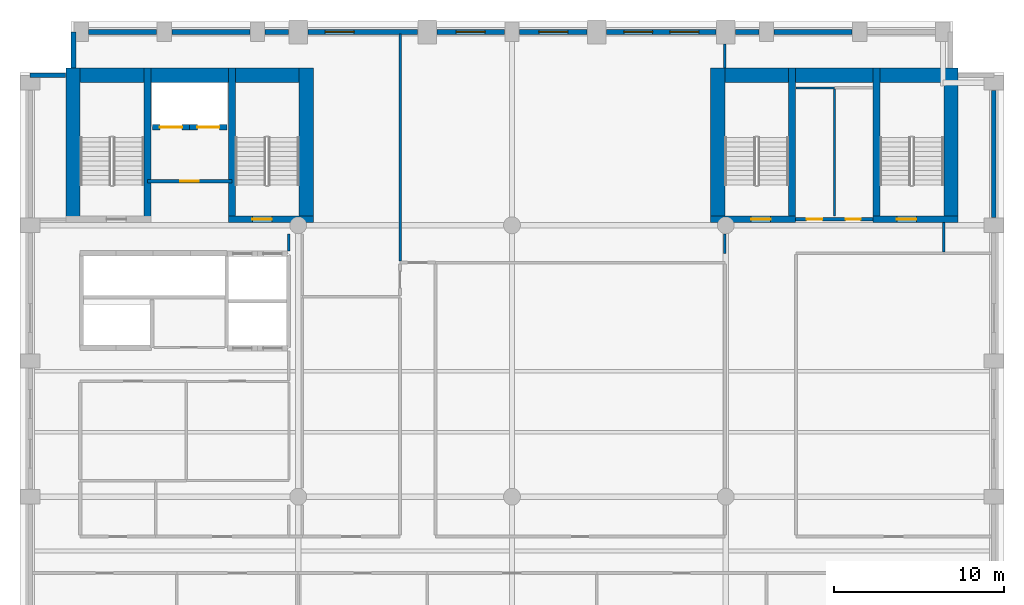
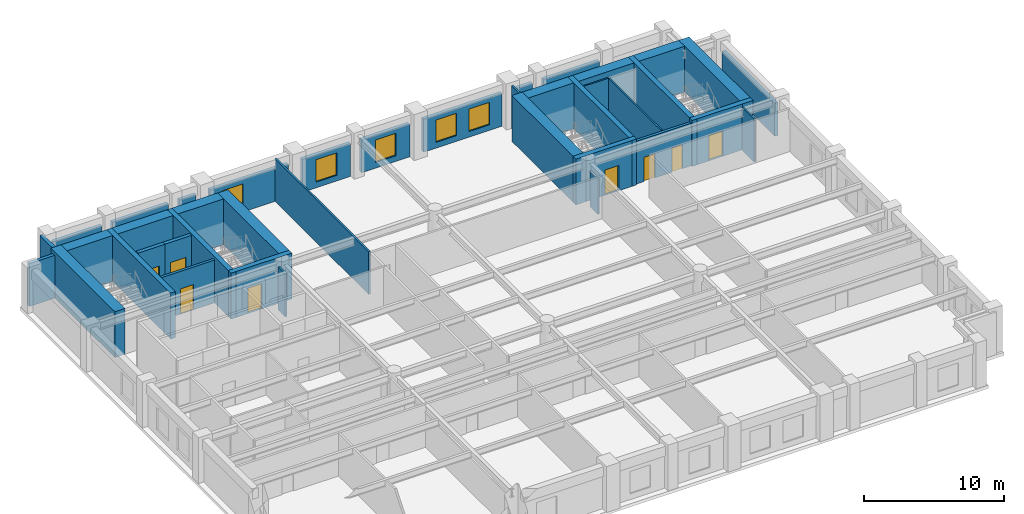
# One storey, part 5 of 8: 36 walls, 8 doors, 5 windows, 13 openings.
"""IFC4 building model written with IfcOpenShell, lengths in metres."""

from ifc_helpers import new_model, si_unit, direction, frame, frame_2d, origin, place, context, subcontext, project, spatial, rectangle, extrude, material, layer, layer_set, type_object, element, fill, save


model = new_model("IFC4")

# Units and contexts
model_context = context("Model", 3, precision=1e-05, world=origin(), true_north=direction((0.0, 1.0)))
body_context = subcontext(model_context, "Body", "Model", "MODEL_VIEW")
ifc_project = project(units=[si_unit("LENGTHUNIT", "METRE"), si_unit("AREAUNIT", "SQUARE_METRE"), si_unit("VOLUMEUNIT", "CUBIC_METRE"), si_unit("PLANEANGLEUNIT", "RADIAN"), si_unit("MASSUNIT", "GRAM", prefix="KILO")], contexts=[model_context])

# Site, building, storey
site_placement = place(None, origin())
site = spatial("IfcSite", under=ifc_project, at=site_placement, CompositionType="ELEMENT")
building_placement = place(site_placement, origin())
building = spatial("IfcBuilding", under=site, at=building_placement, Name="Sulina Concourse Tower", CompositionType="ELEMENT")
storey_placement = place(building_placement, frame((0.0, 0.0, 136.60009765625)))
storey = spatial("IfcBuildingStorey", under=building, at=storey_placement, Name="L33", CompositionType="ELEMENT", Elevation=136.60009765625)

# Wall, opening, door
ifc_material_1 = material(Name="Concrete C50/60", Category="concrete")
ifc_layer_1 = layer(ifc_material_1, 0.300048828125)
ifc_layer_set_1 = layer_set([ifc_layer_1], Name="Concrete C50/60")
wall_type_1 = type_object("IfcWallType", Name="Core Lift Hoistway Wall 300mm", PredefinedType="SOLIDWALL", material=ifc_layer_set_1)
wall_1_placement = place(storey_placement, frame((10.0, 39.780029296875, 0.0), z_axis=(0.0, 0.0, 1.0), x_axis=(-1.0, 0.0, 0.0)))
wall_1 = element("IfcWall", 1, at=wall_1_placement, inside=storey, type_object=wall_type_1, Name="L33 hoistway enclosure wall FFL-1", PredefinedType="SOLIDWALL", context=body_context, shape_type="SweptSolid", body=[
    extrude(rectangle(XDim=2.199951171875, YDim=0.300048828125, at=frame_2d((1.10009765625, 0.0))), origin(), (0.0, 0.0, 1.0), 4.0),
])
opening_1_placement = place(wall_1_placement, frame((0.449951171875, 0.0, 0.0)))
opening_1 = element("IfcOpeningElement", 2, at=opening_1_placement, cuts=wall_1, Name="Opening LD-02", PredefinedType="OPENING", context=body_context, shape_type="SweptSolid", body=[
    extrude(rectangle(XDim=1.300048828125, YDim=2.25, at=frame_2d((0.64990234375, 1.125))), frame((0.0, 0.159912109375, 0.0), z_axis=(0.0, -1.0, 0.0), x_axis=(1.0, 0.0, 0.0)), (0.0, 0.0, 1.0), 0.320068359375),
])
ifc_material_2 = material(Name="Stainless steel lift landing door", Category="steel")
ifc_layer_2 = layer(ifc_material_2, 0.050048828125)
ifc_layer_set_2 = layer_set([ifc_layer_2], Name="Stainless steel lift landing door")
door_type_1 = type_object("IfcDoorType", Name="Firefighting Lift Sliding Landing Door 1300x2250", OperationType="SLIDING_TO_RIGHT", PredefinedType="DOOR", material=ifc_layer_set_2)
door_1_placement = place(opening_1_placement, origin())
door_1 = element("IfcDoor", 3, at=door_1_placement, inside=storey, type_object=door_type_1, Name="L33 lift landing sliding door FFL-1", OperationType="SLIDING_TO_LEFT", OverallHeight=2.25, OverallWidth=1.300048828125, PredefinedType="DOOR", context=body_context, shape_type="SweptSolid", body=[
    extrude(rectangle(XDim=1.300048828125, YDim=2.25, at=frame_2d((0.64990234375, 1.125))), frame((0.0, 0.02490234375, 0.0), z_axis=(0.0, -1.0, 0.0), x_axis=(1.0, 0.0, 0.0)), (0.0, 0.0, 1.0), 0.050048828125),
])
fill(opening_1, door_1)

wall_2_placement = place(storey_placement, frame((12.199951171875, 39.780029296875, 0.0), z_axis=(0.0, 0.0, 1.0), x_axis=(-1.0, 0.0, 0.0)))
wall_2 = element("IfcWall", 4, at=wall_2_placement, inside=storey, type_object=wall_type_1, Name="L33 hoistway enclosure wall FFL-2", PredefinedType="SOLIDWALL", context=body_context, shape_type="SweptSolid", body=[
    extrude(rectangle(XDim=2.199951171875, YDim=0.300048828125, at=frame_2d((1.10009765625, 0.0))), origin(), (0.0, 0.0, 1.0), 4.0),
])
opening_2_placement = place(wall_2_placement, frame((0.449951171875, 0.0, 0.0)))
opening_2 = element("IfcOpeningElement", 5, at=opening_2_placement, cuts=wall_2, Name="Opening LD-02", PredefinedType="OPENING", context=body_context, shape_type="SweptSolid", body=[
    extrude(rectangle(XDim=1.300048828125, YDim=2.25, at=frame_2d((0.64990234375, 1.125))), frame((0.0, 0.159912109375, 0.0), z_axis=(0.0, -1.0, 0.0), x_axis=(1.0, 0.0, 0.0)), (0.0, 0.0, 1.0), 0.320068359375),
])
door_2_placement = place(opening_2_placement, origin())
door_2 = element("IfcDoor", 6, at=door_2_placement, inside=storey, type_object=door_type_1, Name="L33 lift landing sliding door FFL-2", OperationType="SLIDING_TO_RIGHT", OverallHeight=2.25, OverallWidth=1.300048828125, PredefinedType="DOOR", context=body_context, shape_type="SweptSolid", body=[
    extrude(rectangle(XDim=1.300048828125, YDim=2.25, at=frame_2d((0.64990234375, 1.125))), frame((0.0, 0.02490234375, 0.0), z_axis=(0.0, -1.0, 0.0), x_axis=(1.0, 0.0, 0.0)), (0.0, 0.0, 1.0), 0.050048828125),
])
fill(opening_2, door_2)

ifc_material_3 = material(Name="Gypsum board on steel stud", Category="steel")
ifc_layer_3 = layer(ifc_material_3, 0.219970703125)
ifc_layer_set_3 = layer_set([ifc_layer_3], Name="Gypsum board on steel stud")
wall_type_2 = type_object("IfcWallType", Name="Fire-Rated Lobby & Compartment Wall 220mm", PredefinedType="PARTITIONING", material=ifc_layer_set_3)
wall_3_placement = place(storey_placement, frame((7.510009765625, 36.60009765625, 0.0), z_axis=(0.0, 0.0, 1.0), x_axis=(1.0, 0.0, 0.0)))
wall_3 = element("IfcWall", 7, at=wall_3_placement, inside=storey, type_object=wall_type_2, Name="L33 firefighting lobby south fire wall", PredefinedType="PARTITIONING", context=body_context, shape_type="SweptSolid", body=[
    extrude(rectangle(XDim=4.97998046875, YDim=0.219970703125, at=frame_2d((2.489990234375, 0.0))), origin(), (0.0, 0.0, 1.0), 3.724853515625),
])
opening_3_placement = place(wall_3_placement, frame((1.93994140625, 0.0, 0.0)))
opening_3 = element("IfcOpeningElement", 8, at=opening_3_placement, cuts=wall_3, Name="Opening DR-47", PredefinedType="OPENING", context=body_context, shape_type="SweptSolid", body=[
    extrude(rectangle(XDim=1.10009765625, YDim=2.199951171875, at=frame_2d((0.550048828125, 1.10009765625))), frame((0.0, 0.119873046875, 0.0), z_axis=(0.0, -1.0, 0.0), x_axis=(1.0, 0.0, 0.0)), (0.0, 0.0, 1.0), 0.239990234375),
])
ifc_material_4 = material(Name="Galvanised steel acoustic fire leaf", Category="steel")
ifc_layer_4 = layer(ifc_material_4, 0.054931640625)
ifc_layer_set_4 = layer_set([ifc_layer_4], Name="Galvanised steel acoustic fire leaf")
door_type_2 = type_object("IfcDoorType", Name="Firefighting Lobby Fire Door 1100x2200", OperationType="NOTDEFINED", PredefinedType="DOOR", material=ifc_layer_set_4)
door_3_placement = place(opening_3_placement, origin())
door_3 = element("IfcDoor", 9, at=door_3_placement, inside=storey, type_object=door_type_2, Name="L33 firefighting lobby fire door", OperationType="SINGLE_SWING_RIGHT", OverallHeight=2.199951171875, OverallWidth=1.10009765625, PredefinedType="DOOR", context=body_context, shape_type="SweptSolid", body=[
    extrude(rectangle(XDim=1.10009765625, YDim=2.199951171875, at=frame_2d((0.550048828125, 1.10009765625))), frame((0.0, 0.02490234375, 0.0), z_axis=(0.0, -1.0, 0.0), x_axis=(1.0, 0.0, 0.0)), (0.0, 0.0, 1.0), 0.050048828125),
])
fill(opening_3, door_3)

# Wall, openings, doors
wall_4_placement = place(storey_placement, frame((45.719970703125, 34.35009765625, 0.0), z_axis=(0.0, 0.0, 1.0), x_axis=(1.0, 0.0, 0.0)))
wall_4 = element("IfcWall", 10, at=wall_4_placement, inside=storey, type_object=wall_type_2, Name="L33 east core south lobby wall", PredefinedType="PARTITIONING", context=body_context, shape_type="SweptSolid", body=[
    extrude(rectangle(XDim=4.56005859375, YDim=0.219970703125, at=frame_2d((2.280029296875, 0.0))), origin(), (0.0, 0.0, 1.0), 3.724853515625),
])
opening_4_placement = place(wall_4_placement, frame((0.64990234375, 0.0, 0.0)))
opening_4 = element("IfcOpeningElement", 11, at=opening_4_placement, cuts=wall_4, Name="Opening DR-61", PredefinedType="OPENING", context=body_context, shape_type="SweptSolid", body=[
    extrude(rectangle(XDim=0.919921875, YDim=2.10009765625, at=frame_2d((0.4599609375, 1.050048828125))), frame((0.0, 0.119873046875, 0.0), z_axis=(0.0, -1.0, 0.0), x_axis=(1.0, 0.0, 0.0)), (0.0, 0.0, 1.0), 0.239990234375),
])
opening_5_placement = place(wall_4_placement, frame((2.949951171875, 0.0, 0.0)))
opening_5 = element("IfcOpeningElement", 12, at=opening_5_placement, cuts=wall_4, Name="Opening DR-38", PredefinedType="OPENING", context=body_context, shape_type="SweptSolid", body=[
    extrude(rectangle(XDim=0.8798828125, YDim=2.10009765625, at=frame_2d((0.43994140625, 1.050048828125))), frame((0.0, 0.119873046875, 0.0), z_axis=(0.0, -1.0, 0.0), x_axis=(1.0, 0.0, 0.0)), (0.0, 0.0, 1.0), 0.239990234375),
])
ifc_material_5 = material(Name="Oak-veneered fire door leaf")
ifc_layer_5 = layer(ifc_material_5, 0.050048828125)
ifc_layer_set_5 = layer_set([ifc_layer_5], Name="Oak-veneered fire door leaf")
door_type_3 = type_object("IfcDoorType", Name="Accessible WC Door 920x2100", OperationType="NOTDEFINED", PredefinedType="DOOR", material=ifc_layer_set_5)
door_4_placement = place(opening_4_placement, origin())
door_4 = element("IfcDoor", 13, at=door_4_placement, inside=storey, type_object=door_type_3, Name="L33 east core accessible wc door", OperationType="SINGLE_SWING_RIGHT", OverallHeight=2.10009765625, OverallWidth=0.919921875, PredefinedType="DOOR", context=body_context, shape_type="SweptSolid", body=[
    extrude(rectangle(XDim=0.919921875, YDim=2.10009765625, at=frame_2d((0.4599609375, 1.050048828125))), frame((0.0, 0.02490234375, 0.0), z_axis=(0.0, -1.0, 0.0), x_axis=(1.0, 0.0, 0.0)), (0.0, 0.0, 1.0), 0.050048828125),
])
fill(opening_4, door_4)
ifc_material_6 = material(Name="Galvanised steel acoustic fire leaf", Category="steel")
ifc_layer_6 = layer(ifc_material_6, 0.050048828125)
ifc_layer_set_6 = layer_set([ifc_layer_6], Name="Galvanised steel acoustic fire leaf")
door_type_4 = type_object("IfcDoorType", Name="Service Riser Fire Door 880x2100", OperationType="NOTDEFINED", PredefinedType="DOOR", material=ifc_layer_set_6)
door_5_placement = place(opening_5_placement, origin())
door_5 = element("IfcDoor", 14, at=door_5_placement, inside=storey, type_object=door_type_4, Name="L33 east core store door", OperationType="SINGLE_SWING_LEFT", OverallHeight=2.10009765625, OverallWidth=0.8798828125, PredefinedType="DOOR", context=body_context, shape_type="SweptSolid", body=[
    extrude(rectangle(XDim=0.8798828125, YDim=2.10009765625, at=frame_2d((0.43994140625, 1.050048828125))), frame((0.0, 0.02490234375, 0.0), z_axis=(0.0, -1.0, 0.0), x_axis=(1.0, 0.0, 0.0)), (0.0, 0.0, 1.0), 0.050048828125),
])
fill(opening_5, door_5)

# Walls
ifc_material_7 = material(Name="Gypsum board on steel stud", Category="steel")
ifc_layer_7 = layer(ifc_material_7, 0.14990234375)
ifc_layer_set_7 = layer_set([ifc_layer_7], Name="Gypsum board on steel stud")
wall_type_3 = type_object("IfcWallType", Name="Inter-Tenancy Acoustic Partition 150mm", PredefinedType="PARTITIONING", material=ifc_layer_set_7)
wall_5_placement = place(storey_placement, frame((15.85009765625, 32.469970703125, 0.0), z_axis=(0.0, 0.0, 1.0), x_axis=(0.0, 1.0, 0.0)))
element("IfcWall", 15, at=wall_5_placement, inside=storey, type_object=wall_type_3, Name="L33 interior partition 035", PredefinedType="PARTITIONING", context=body_context, shape_type="SweptSolid", body=[
    extrude(rectangle(XDim=1.030029296875, YDim=0.14990234375, at=frame_2d((0.51513671875, 0.0))), origin(), (0.0, 0.0, 1.0), 3.724853515625),
])
wall_6_placement = place(storey_placement, frame((22.39990234375, 31.889892578125, 0.0), z_axis=(0.0, 0.0, 1.0), x_axis=(0.0, 1.0, 0.0)))
element("IfcWall", 16, at=wall_6_placement, inside=storey, type_object=wall_type_3, Name="L33 interior partition 042", PredefinedType="PARTITIONING", context=body_context, shape_type="SweptSolid", body=[
    extrude(rectangle(XDim=13.3701171875, YDim=0.14990234375, at=frame_2d((6.68505859375, 0.0))), origin(), (0.0, 0.0, 1.0), 3.724853515625),
])
wall_7_placement = place(storey_placement, frame((41.550048828125, 32.35009765625, 0.0), z_axis=(0.0, 0.0, 1.0), x_axis=(0.0, 1.0, 0.0)))
element("IfcWall", 17, at=wall_7_placement, inside=storey, type_object=wall_type_3, Name="L33 interior partition 048", PredefinedType="PARTITIONING", context=body_context, shape_type="SweptSolid", body=[
    extrude(rectangle(XDim=1.14990234375, YDim=0.14990234375, at=frame_2d((0.574951171875, 0.0))), origin(), (0.0, 0.0, 1.0), 3.06982421875),
])
wall_8_placement = place(storey_placement, frame((41.550048828125, 43.280029296875, 0.0), z_axis=(0.0, 0.0, 1.0), x_axis=(0.0, 1.0, 0.0)))
element("IfcWall", 18, at=wall_8_placement, inside=storey, type_object=wall_type_3, Name="L33 interior partition 049", PredefinedType="PARTITIONING", context=body_context, shape_type="SweptSolid", body=[
    extrude(rectangle(XDim=1.419921875, YDim=0.14990234375, at=frame_2d((0.7099609375, 0.0))), origin(), (0.0, 0.0, 1.0), 3.724853515625),
])
wall_9_placement = place(storey_placement, frame((54.449951171875, 32.425048828125, 0.0), z_axis=(0.0, 0.0, 1.0), x_axis=(0.0, 1.0, 0.0)))
element("IfcWall", 19, at=wall_9_placement, inside=storey, type_object=wall_type_3, Name="L33 interior partition 053", PredefinedType="PARTITIONING", context=body_context, shape_type="SweptSolid", body=[
    extrude(rectangle(XDim=1.724853515625, YDim=0.14990234375, at=frame_2d((0.8623046875, 0.0))), origin(), (0.0, 0.0, 1.0), 3.724853515625),
])

# Wall, opening, door
ifc_material_8 = material(Name="Concrete C60/75", Category="concrete")
ifc_layer_8 = layer(ifc_material_8, 0.39990234375)
ifc_layer_set_8 = layer_set([ifc_layer_8], Name="Concrete C60/75")
wall_type_4 = type_object("IfcWallType", Name="Protected Stair Core Shear Wall 400mm", PredefinedType="SHEAR", material=ifc_layer_set_8)
wall_10_placement = place(storey_placement, frame((12.2900390625, 34.35009765625, 0.0), z_axis=(0.0, 0.0, 1.0), x_axis=(1.0, 0.0, 0.0)))
wall_10 = element("IfcWall", 20, at=wall_10_placement, inside=storey, type_object=wall_type_4, Name="L33 west core shear wall CW-WS2", PredefinedType="SHEAR", context=body_context, shape_type="SweptSolid", body=[
    extrude(rectangle(XDim=5.010009765625, YDim=0.39990234375, at=frame_2d((2.5048828125, 0.0))), origin(), (0.0, 0.0, 1.0), 4.0),
])
opening_6_placement = place(wall_10_placement, frame((1.39990234375, 0.0, 0.0)))
opening_6 = element("IfcOpeningElement", 21, at=opening_6_placement, cuts=wall_10, Name="Opening DR-60", PredefinedType="OPENING", context=body_context, shape_type="SweptSolid", body=[
    extrude(rectangle(XDim=1.14990234375, YDim=2.199951171875, at=frame_2d((0.574951171875, 1.10009765625))), frame((0.0, 0.2099609375, 0.0), z_axis=(0.0, -1.0, 0.0), x_axis=(1.0, 0.0, 0.0)), (0.0, 0.0, 1.0), 0.419921875),
])
ifc_material_9 = material(Name="Galvanised steel acoustic fire leaf", Category="steel")
ifc_layer_9 = layer(ifc_material_9, 0.054931640625)
ifc_layer_set_9 = layer_set([ifc_layer_9], Name="Galvanised steel acoustic fire leaf")
door_type_5 = type_object("IfcDoorType", Name="Protected Exit Stair Fire Door 1150x2200", OperationType="NOTDEFINED", PredefinedType="DOOR", material=ifc_layer_set_9)
door_6_placement = place(opening_6_placement, origin())
door_6 = element("IfcDoor", 22, at=door_6_placement, inside=storey, type_object=door_type_5, Name="L33 stair ST-2 lobby fire door", OperationType="SINGLE_SWING_LEFT", OverallHeight=2.199951171875, OverallWidth=1.14990234375, PredefinedType="DOOR", context=body_context, shape_type="SweptSolid", body=[
    extrude(rectangle(XDim=1.14990234375, YDim=2.199951171875, at=frame_2d((0.574951171875, 1.10009765625))), frame((0.0, 0.02490234375, 0.0), z_axis=(0.0, -1.0, 0.0), x_axis=(1.0, 0.0, 0.0)), (0.0, 0.0, 1.0), 0.050048828125),
])
fill(opening_6, door_6)

# Walls
for number, where, z_axis, x_axis, name in (
    (23, (7.510009765625, 34.14990234375, 0.0), (0.0, 0.0, 1.0), (0.0, 1.0, 0.0), "L33 west core shear wall SW-ST1"),
    (24, (12.489990234375, 34.14990234375, 0.0), (0.0, 0.0, 1.0), (0.0, 1.0, 0.0), "L33 west core shear wall SW-ST2"),
):
    element("IfcWall", number, at=place(storey_placement, frame(where, z_axis=z_axis, x_axis=x_axis)), inside=storey, type_object=wall_type_4, Name=name, PredefinedType="SHEAR", context=body_context, shape_type="SweptSolid", body=[
        extrude(rectangle(XDim=9.130126953125, YDim=0.39990234375, at=frame_2d((4.56494140625, 0.0))), origin(), (0.0, 0.0, 1.0), 4.0),
    ])

# Wall, opening, door
wall_11_placement = place(storey_placement, frame((40.699951171875, 34.35009765625, 0.0), z_axis=(0.0, 0.0, 1.0), x_axis=(1.0, 0.0, 0.0)))
wall_11 = element("IfcWall", 25, at=wall_11_placement, inside=storey, type_object=wall_type_4, Name="L33 east core shear wall CW-ES1", PredefinedType="SHEAR", context=body_context, shape_type="SweptSolid", body=[
    extrude(rectangle(XDim=5.010009765625, YDim=0.39990234375, at=frame_2d((2.5048828125, 0.0))), origin(), (0.0, 0.0, 1.0), 4.0),
])
opening_7_placement = place(wall_11_placement, frame((2.39990234375, 0.0, 0.0)))
opening_7 = element("IfcOpeningElement", 26, at=opening_7_placement, cuts=wall_11, Name="Opening DR-60", PredefinedType="OPENING", context=body_context, shape_type="SweptSolid", body=[
    extrude(rectangle(XDim=1.14990234375, YDim=2.199951171875, at=frame_2d((0.574951171875, 1.10009765625))), frame((0.0, 0.2099609375, 0.0), z_axis=(0.0, -1.0, 0.0), x_axis=(1.0, 0.0, 0.0)), (0.0, 0.0, 1.0), 0.419921875),
])
door_7_placement = place(opening_7_placement, origin())
door_7 = element("IfcDoor", 27, at=door_7_placement, inside=storey, type_object=door_type_5, Name="L33 stair ST-3 south lobby fire door", OperationType="SINGLE_SWING_LEFT", OverallHeight=2.199951171875, OverallWidth=1.14990234375, PredefinedType="DOOR", context=body_context, shape_type="SweptSolid", body=[
    extrude(rectangle(XDim=1.14990234375, YDim=2.199951171875, at=frame_2d((0.574951171875, 1.10009765625))), frame((0.0, 0.02490234375, 0.0), z_axis=(0.0, -1.0, 0.0), x_axis=(1.0, 0.0, 0.0)), (0.0, 0.0, 1.0), 0.050048828125),
])
fill(opening_7, door_7)

# Wall
wall_12_placement = place(storey_placement, frame((45.510009765625, 34.14990234375, 0.0), z_axis=(0.0, 0.0, 1.0), x_axis=(0.0, 1.0, 0.0)))
element("IfcWall", 28, at=wall_12_placement, inside=storey, type_object=wall_type_4, Name="L33 east core shear wall SW-ST3", PredefinedType="SHEAR", context=body_context, shape_type="SweptSolid", body=[
    extrude(rectangle(XDim=9.130126953125, YDim=0.39990234375, at=frame_2d((4.56494140625, 0.0))), origin(), (0.0, 0.0, 1.0), 4.0),
])

# Wall, opening, door
wall_13_placement = place(storey_placement, frame((50.2900390625, 34.35009765625, 0.0), z_axis=(0.0, 0.0, 1.0), x_axis=(1.0, 0.0, 0.0)))
wall_13 = element("IfcWall", 29, at=wall_13_placement, inside=storey, type_object=wall_type_4, Name="L33 east core shear wall CW-ES2", PredefinedType="SHEAR", context=body_context, shape_type="SweptSolid", body=[
    extrude(rectangle(XDim=5.010009765625, YDim=0.39990234375, at=frame_2d((2.5048828125, 0.0))), origin(), (0.0, 0.0, 1.0), 4.0),
])
opening_8_placement = place(wall_13_placement, frame((1.39990234375, 0.0, 0.0)))
opening_8 = element("IfcOpeningElement", 30, at=opening_8_placement, cuts=wall_13, Name="Opening DR-60", PredefinedType="OPENING", context=body_context, shape_type="SweptSolid", body=[
    extrude(rectangle(XDim=1.14990234375, YDim=2.199951171875, at=frame_2d((0.574951171875, 1.10009765625))), frame((0.0, 0.2099609375, 0.0), z_axis=(0.0, -1.0, 0.0), x_axis=(1.0, 0.0, 0.0)), (0.0, 0.0, 1.0), 0.419921875),
])
door_8_placement = place(opening_8_placement, origin())
door_8 = element("IfcDoor", 31, at=door_8_placement, inside=storey, type_object=door_type_5, Name="L33 stair ST-4 south lobby fire door", OperationType="SINGLE_SWING_RIGHT", OverallHeight=2.199951171875, OverallWidth=1.14990234375, PredefinedType="DOOR", context=body_context, shape_type="SweptSolid", body=[
    extrude(rectangle(XDim=1.14990234375, YDim=2.199951171875, at=frame_2d((0.574951171875, 1.10009765625))), frame((0.0, 0.02490234375, 0.0), z_axis=(0.0, -1.0, 0.0), x_axis=(1.0, 0.0, 0.0)), (0.0, 0.0, 1.0), 0.050048828125),
])
fill(opening_8, door_8)

# Walls
wall_14_placement = place(storey_placement, frame((50.489990234375, 34.14990234375, 0.0), z_axis=(0.0, 0.0, 1.0), x_axis=(0.0, 1.0, 0.0)))
element("IfcWall", 32, at=wall_14_placement, inside=storey, type_object=wall_type_4, Name="L33 east core shear wall SW-ST4", PredefinedType="SHEAR", context=body_context, shape_type="SweptSolid", body=[
    extrude(rectangle(XDim=9.130126953125, YDim=0.39990234375, at=frame_2d((4.56494140625, 0.0))), origin(), (0.0, 0.0, 1.0), 4.0),
])
ifc_material_10 = material(Name="Concrete C60/75", Category="concrete")
ifc_layer_10 = layer(ifc_material_10, 0.85009765625)
ifc_layer_set_10 = layer_set([ifc_layer_10], Name="Concrete C60/75")
wall_type_5 = type_object("IfcWallType", Name="Rear Core Shear Wall 850mm", PredefinedType="SHEAR", material=ifc_layer_set_10)
wall_15_placement = place(storey_placement, frame((2.699951171875, 42.85498046875, 0.0), z_axis=(0.0, 0.0, 1.0), x_axis=(1.0, 0.0, 0.0)))
element("IfcWall", 33, at=wall_15_placement, inside=storey, type_object=wall_type_5, Name="L33 west core shear wall CW-WN", PredefinedType="SHEAR", context=body_context, shape_type="SweptSolid", body=[
    extrude(rectangle(XDim=14.60009765625, YDim=0.85009765625, at=frame_2d((7.300048828125, 0.0))), origin(), (0.0, 0.0, 1.0), 4.0),
])
for number, where, z_axis, x_axis, name in (
    (34, (3.125, 34.14990234375, 0.0), (0.0, 0.0, 1.0), (0.0, 1.0, 0.0), "L33 west core shear wall CW-WW"),
    (35, (16.875, 34.14990234375, 0.0), (0.0, 0.0, 1.0), (0.0, 1.0, 0.0), "L33 west core shear wall CW-WE"),
):
    element("IfcWall", number, at=place(storey_placement, frame(where, z_axis=z_axis, x_axis=x_axis)), inside=storey, type_object=wall_type_5, Name=name, PredefinedType="SHEAR", context=body_context, shape_type="SweptSolid", body=[
        extrude(rectangle(XDim=9.130126953125, YDim=0.85009765625, at=frame_2d((4.56494140625, 0.0))), origin(), (0.0, 0.0, 1.0), 4.0),
    ])
wall_16_placement = place(storey_placement, frame((40.699951171875, 42.85498046875, 0.0), z_axis=(0.0, 0.0, 1.0), x_axis=(1.0, 0.0, 0.0)))
element("IfcWall", 36, at=wall_16_placement, inside=storey, type_object=wall_type_5, Name="L33 east core shear wall CW-EN", PredefinedType="SHEAR", context=body_context, shape_type="SweptSolid", body=[
    extrude(rectangle(XDim=14.60009765625, YDim=0.85009765625, at=frame_2d((7.300048828125, 0.0))), origin(), (0.0, 0.0, 1.0), 4.0),
])
for number, where, z_axis, x_axis, name in (
    (37, (41.125, 34.14990234375, 0.0), (0.0, 0.0, 1.0), (0.0, 1.0, 0.0), "L33 east core shear wall CW-EW"),
    (38, (54.875, 34.14990234375, 0.0), (0.0, 0.0, 1.0), (0.0, 1.0, 0.0), "L33 east core shear wall CW-EE"),
):
    element("IfcWall", number, at=place(storey_placement, frame(where, z_axis=z_axis, x_axis=x_axis)), inside=storey, type_object=wall_type_5, Name=name, PredefinedType="SHEAR", context=body_context, shape_type="SweptSolid", body=[
        extrude(rectangle(XDim=9.130126953125, YDim=0.85009765625, at=frame_2d((4.56494140625, 0.0))), origin(), (0.0, 0.0, 1.0), 4.0),
    ])
ifc_material_11 = material(Name="Precast concrete C50/60", Category="concrete")
ifc_layer_11 = layer(ifc_material_11, 0.280029296875)
ifc_layer_set_11 = layer_set([ifc_layer_11], Name="Precast concrete C50/60")
wall_type_6 = type_object("IfcWallType", Name="Typical Precast Masonry-Frame Facade Wall 280mm", PredefinedType="SOLIDWALL", material=ifc_layer_set_11)
wall_17_placement = place(storey_placement, frame((4.044921875, 45.39990234375, 0.0), z_axis=(0.0, 0.0, 1.0), x_axis=(1.0, 0.0, 0.0)))
element("IfcWall", 39, at=wall_17_placement, inside=storey, type_object=wall_type_6, Name="L33 exterior precast wall N1", PredefinedType="SOLIDWALL", context=body_context, shape_type="SweptSolid", body=[
    extrude(rectangle(XDim=4.010009765625, YDim=0.280029296875, at=frame_2d((2.0048828125, 0.0))), origin(), (0.0, 0.0, 1.0), 2.875),
])
wall_18_placement = place(storey_placement, frame((8.945068359375, 45.39990234375, 0.0), z_axis=(0.0, 0.0, 1.0), x_axis=(1.0, 0.0, 0.0)))
element("IfcWall", 40, at=wall_18_placement, inside=storey, type_object=wall_type_6, Name="L33 exterior precast wall N2", PredefinedType="SOLIDWALL", context=body_context, shape_type="SweptSolid", body=[
    extrude(rectangle(XDim=4.60986328125, YDim=0.280029296875, at=frame_2d((2.304931640625, 0.0))), origin(), (0.0, 0.0, 1.0), 2.875),
])
wall_19_placement = place(storey_placement, frame((14.445068359375, 45.39990234375, 0.0), z_axis=(0.0, 0.0, 1.0), x_axis=(1.0, 0.0, 0.0)))
element("IfcWall", 41, at=wall_19_placement, inside=storey, type_object=wall_type_6, Name="L33 exterior precast wall N3", PredefinedType="SOLIDWALL", context=body_context, shape_type="SweptSolid", body=[
    extrude(rectangle(XDim=1.385009765625, YDim=0.280029296875, at=frame_2d((0.6923828125, 0.0))), origin(), (0.0, 0.0, 1.0), 2.875),
])

# Wall, opening, window
wall_20_placement = place(storey_placement, frame((16.969970703125, 45.39990234375, 0.0), z_axis=(0.0, 0.0, 1.0), x_axis=(1.0, 0.0, 0.0)))
wall_20 = element("IfcWall", 42, at=wall_20_placement, inside=storey, type_object=wall_type_6, Name="L33 exterior precast wall N4", PredefinedType="SOLIDWALL", context=body_context, shape_type="SweptSolid", body=[
    extrude(rectangle(XDim=6.4599609375, YDim=0.280029296875, at=frame_2d((3.22998046875, 0.0))), origin(), (0.0, 0.0, 1.0), 2.875),
])
opening_9_placement = place(wall_20_placement, frame((1.02001953125, 0.0, 0.5)))
opening_9 = element("IfcOpeningElement", 43, at=opening_9_placement, cuts=wall_20, Name="Opening WN-66", PredefinedType="OPENING", context=body_context, shape_type="SweptSolid", body=[
    extrude(rectangle(XDim=1.699951171875, YDim=1.949951171875, at=frame_2d((0.85009765625, 0.97509765625))), frame((0.0, 0.14990234375, 0.0), z_axis=(0.0, -1.0, 0.0), x_axis=(1.0, 0.0, 0.0)), (0.0, 0.0, 1.0), 0.300048828125),
])
ifc_material_12 = material(Name="Low-E solar double glazing in bronze aluminium", Category="aluminium")
window_type = type_object("IfcWindowType", Name="Recessed Spandrel Window 1700x1950", PartitioningType="SINGLE_PANEL", PredefinedType="WINDOW", material=ifc_material_12)
window_1_placement = place(opening_9_placement, origin())
window_1 = element("IfcWindow", 44, at=window_1_placement, inside=storey, type_object=window_type, Name="L33 punched window N4-1", OverallHeight=1.949951171875, OverallWidth=1.699951171875, PartitioningType="SINGLE_PANEL", PredefinedType="WINDOW", context=body_context, shape_type="SweptSolid", body=[
    extrude(rectangle(XDim=1.699951171875, YDim=1.949951171875, at=frame_2d((0.85009765625, 0.97509765625))), frame((0.0, 0.030029296875, 0.0), z_axis=(0.0, -1.0, 0.0), x_axis=(1.0, 0.0, 0.0)), (0.0, 0.0, 1.0), 0.06005859375),
])
fill(opening_9, window_1)

wall_21_placement = place(storey_placement, frame((24.570068359375, 45.39990234375, 0.0), z_axis=(0.0, 0.0, 1.0), x_axis=(1.0, 0.0, 0.0)))
wall_21 = element("IfcWall", 45, at=wall_21_placement, inside=storey, type_object=wall_type_6, Name="L33 exterior precast wall N5", PredefinedType="SOLIDWALL", context=body_context, shape_type="SweptSolid", body=[
    extrude(rectangle(XDim=3.98486328125, YDim=0.280029296875, at=frame_2d((1.992431640625, 0.0))), origin(), (0.0, 0.0, 1.0), 2.875),
])
opening_10_placement = place(wall_21_placement, frame((1.142578125, 0.0, 0.5)))
opening_10 = element("IfcOpeningElement", 46, at=opening_10_placement, cuts=wall_21, Name="Opening WN-66", PredefinedType="OPENING", context=body_context, shape_type="SweptSolid", body=[
    extrude(rectangle(XDim=1.699951171875, YDim=1.949951171875, at=frame_2d((0.85009765625, 0.97509765625))), frame((0.0, 0.14990234375, 0.0), z_axis=(0.0, -1.0, 0.0), x_axis=(1.0, 0.0, 0.0)), (0.0, 0.0, 1.0), 0.300048828125),
])
window_2_placement = place(opening_10_placement, origin())
window_2 = element("IfcWindow", 47, at=window_2_placement, inside=storey, type_object=window_type, Name="L33 punched window N5-1", OverallHeight=1.949951171875, OverallWidth=1.699951171875, PartitioningType="SINGLE_PANEL", PredefinedType="WINDOW", context=body_context, shape_type="SweptSolid", body=[
    extrude(rectangle(XDim=1.699951171875, YDim=1.949951171875, at=frame_2d((0.85009765625, 0.97509765625))), frame((0.0, 0.030029296875, 0.0), z_axis=(0.0, -1.0, 0.0), x_axis=(1.0, 0.0, 0.0)), (0.0, 0.0, 1.0), 0.06005859375),
])
fill(opening_10, window_2)

wall_22_placement = place(storey_placement, frame((29.445068359375, 45.39990234375, 0.0), z_axis=(0.0, 0.0, 1.0), x_axis=(1.0, 0.0, 0.0)))
wall_22 = element("IfcWall", 48, at=wall_22_placement, inside=storey, type_object=wall_type_6, Name="L33 exterior precast wall N6", PredefinedType="SOLIDWALL", context=body_context, shape_type="SweptSolid", body=[
    extrude(rectangle(XDim=3.98486328125, YDim=0.280029296875, at=frame_2d((1.992431640625, 0.0))), origin(), (0.0, 0.0, 1.0), 2.875),
])
opening_11_placement = place(wall_22_placement, frame((1.142578125, 0.0, 0.5)))
opening_11 = element("IfcOpeningElement", 49, at=opening_11_placement, cuts=wall_22, Name="Opening WN-66", PredefinedType="OPENING", context=body_context, shape_type="SweptSolid", body=[
    extrude(rectangle(XDim=1.699951171875, YDim=1.949951171875, at=frame_2d((0.85009765625, 0.97509765625))), frame((0.0, 0.14990234375, 0.0), z_axis=(0.0, -1.0, 0.0), x_axis=(1.0, 0.0, 0.0)), (0.0, 0.0, 1.0), 0.300048828125),
])
window_3_placement = place(opening_11_placement, origin())
window_3 = element("IfcWindow", 50, at=window_3_placement, inside=storey, type_object=window_type, Name="L33 punched window N6-1", OverallHeight=1.949951171875, OverallWidth=1.699951171875, PartitioningType="SINGLE_PANEL", PredefinedType="WINDOW", context=body_context, shape_type="SweptSolid", body=[
    extrude(rectangle(XDim=1.699951171875, YDim=1.949951171875, at=frame_2d((0.85009765625, 0.97509765625))), frame((0.0, 0.030029296875, 0.0), z_axis=(0.0, -1.0, 0.0), x_axis=(1.0, 0.0, 0.0)), (0.0, 0.0, 1.0), 0.06005859375),
])
fill(opening_11, window_3)

# Wall, openings, windows
wall_23_placement = place(storey_placement, frame((34.570068359375, 45.39990234375, 0.0), z_axis=(0.0, 0.0, 1.0), x_axis=(1.0, 0.0, 0.0)))
wall_23 = element("IfcWall", 51, at=wall_23_placement, inside=storey, type_object=wall_type_6, Name="L33 exterior precast wall N7", PredefinedType="SOLIDWALL", context=body_context, shape_type="SweptSolid", body=[
    extrude(rectangle(XDim=6.4599609375, YDim=0.280029296875, at=frame_2d((3.22998046875, 0.0))), origin(), (0.0, 0.0, 1.0), 2.875),
])
opening_12_placement = place(wall_23_placement, frame((1.02001953125, 0.0, 0.5)))
opening_12 = element("IfcOpeningElement", 52, at=opening_12_placement, cuts=wall_23, Name="Opening WN-66", PredefinedType="OPENING", context=body_context, shape_type="SweptSolid", body=[
    extrude(rectangle(XDim=1.699951171875, YDim=1.949951171875, at=frame_2d((0.85009765625, 0.97509765625))), frame((0.0, 0.14990234375, 0.0), z_axis=(0.0, -1.0, 0.0), x_axis=(1.0, 0.0, 0.0)), (0.0, 0.0, 1.0), 0.300048828125),
])
opening_13_placement = place(wall_23_placement, frame((3.739990234375, 0.0, 0.5)))
opening_13 = element("IfcOpeningElement", 53, at=opening_13_placement, cuts=wall_23, Name="Opening WN-66", PredefinedType="OPENING", context=body_context, shape_type="SweptSolid", body=[
    extrude(rectangle(XDim=1.699951171875, YDim=1.949951171875, at=frame_2d((0.85009765625, 0.97509765625))), frame((0.0, 0.14990234375, 0.0), z_axis=(0.0, -1.0, 0.0), x_axis=(1.0, 0.0, 0.0)), (0.0, 0.0, 1.0), 0.300048828125),
])
window_4_placement = place(opening_12_placement, origin())
window_4 = element("IfcWindow", 54, at=window_4_placement, inside=storey, type_object=window_type, Name="L33 punched window N7-1", OverallHeight=1.949951171875, OverallWidth=1.699951171875, PartitioningType="SINGLE_PANEL", PredefinedType="WINDOW", context=body_context, shape_type="SweptSolid", body=[
    extrude(rectangle(XDim=1.699951171875, YDim=1.949951171875, at=frame_2d((0.85009765625, 0.97509765625))), frame((0.0, 0.030029296875, 0.0), z_axis=(0.0, -1.0, 0.0), x_axis=(1.0, 0.0, 0.0)), (0.0, 0.0, 1.0), 0.06005859375),
])
fill(opening_12, window_4)
window_5_placement = place(opening_13_placement, origin())
window_5 = element("IfcWindow", 55, at=window_5_placement, inside=storey, type_object=window_type, Name="L33 punched window N7-2", OverallHeight=1.949951171875, OverallWidth=1.699951171875, PartitioningType="SINGLE_PANEL", PredefinedType="WINDOW", context=body_context, shape_type="SweptSolid", body=[
    extrude(rectangle(XDim=1.699951171875, YDim=1.949951171875, at=frame_2d((0.85009765625, 0.97509765625))), frame((0.0, 0.030029296875, 0.0), z_axis=(0.0, -1.0, 0.0), x_axis=(1.0, 0.0, 0.0)), (0.0, 0.0, 1.0), 0.06005859375),
])
fill(opening_13, window_5)

# Walls
wall_24_placement = place(storey_placement, frame((42.169921875, 45.39990234375, 0.0), z_axis=(0.0, 0.0, 1.0), x_axis=(1.0, 0.0, 0.0)))
element("IfcWall", 56, at=wall_24_placement, inside=storey, type_object=wall_type_6, Name="L33 exterior precast wall N8", PredefinedType="SOLIDWALL", context=body_context, shape_type="SweptSolid", body=[
    extrude(rectangle(XDim=1.385009765625, YDim=0.280029296875, at=frame_2d((0.6923828125, 0.0))), origin(), (0.0, 0.0, 1.0), 2.875),
])
wall_25_placement = place(storey_placement, frame((44.445068359375, 45.39990234375, 0.0), z_axis=(0.0, 0.0, 1.0), x_axis=(1.0, 0.0, 0.0)))
element("IfcWall", 57, at=wall_25_placement, inside=storey, type_object=wall_type_6, Name="L33 exterior precast wall N9", PredefinedType="SOLIDWALL", context=body_context, shape_type="SweptSolid", body=[
    extrude(rectangle(XDim=4.60986328125, YDim=0.280029296875, at=frame_2d((2.304931640625, 0.0))), origin(), (0.0, 0.0, 1.0), 2.875),
])
wall_26_placement = place(storey_placement, frame((57.39990234375, 41.955078125, 0.0), z_axis=(0.0, 0.0, 1.0), x_axis=(0.0, -1.0, 0.0)))
element("IfcWall", 58, at=wall_26_placement, inside=storey, type_object=wall_type_6, Name="L33 exterior precast wall E5", PredefinedType="SOLIDWALL", context=body_context, shape_type="SweptSolid", body=[
    extrude(rectangle(XDim=7.510009765625, YDim=0.280029296875, at=frame_2d((3.7548828125, 0.0))), origin(), (0.0, 0.0, 1.0), 2.875),
])
wall_27_placement = place(storey_placement, frame((0.60009765625, 42.844970703125, 0.0), z_axis=(0.0, 0.0, 1.0), x_axis=(1.0, 0.0, 0.0)))
element("IfcWall", 59, at=wall_27_placement, inside=storey, type_object=wall_type_6, Name="L33 exterior precast wall CNW1", PredefinedType="SOLIDWALL", context=body_context, shape_type="SweptSolid", body=[
    extrude(rectangle(XDim=2.094970703125, YDim=0.280029296875, at=frame_2d((1.04736328125, 0.0))), origin(), (0.0, 0.0, 1.0), 3.724853515625),
])
wall_28_placement = place(storey_placement, frame((3.155029296875, 43.284912109375, 0.0), z_axis=(0.0, 0.0, 1.0), x_axis=(0.0, 1.0, 0.0)))
element("IfcWall", 60, at=wall_28_placement, inside=storey, type_object=wall_type_6, Name="L33 exterior precast wall CNW2", PredefinedType="SOLIDWALL", context=body_context, shape_type="SweptSolid", body=[
    extrude(rectangle(XDim=2.114990234375, YDim=0.280029296875, at=frame_2d((1.0576171875, 0.0))), origin(), (0.0, 0.0, 1.0), 3.724853515625),
])
ifc_material_13 = material(Name="Gypsum board on steel stud", Category="steel")
ifc_layer_12 = layer(ifc_material_13, 0.125)
ifc_layer_set_12 = layer_set([ifc_layer_12], Name="Gypsum board on steel stud")
wall_type_7 = type_object("IfcWallType", Name="Wet-Area Moisture-Resistant Partition 125mm", PredefinedType="PARTITIONING", material=ifc_layer_set_12)
wall_29_placement = place(storey_placement, frame((45.75, 42.10009765625, 0.0), z_axis=(0.0, 0.0, 1.0), x_axis=(1.0, 0.0, 0.0)))
element("IfcWall", 61, at=wall_29_placement, inside=storey, type_object=wall_type_7, Name="L33 interior partition 025", PredefinedType="PARTITIONING", context=body_context, shape_type="SweptSolid", body=[
    extrude(rectangle(XDim=2.25, YDim=0.125, at=frame_2d((1.125, 0.0))), origin(), (0.0, 0.0, 1.0), 3.724853515625),
])
wall_30_placement = place(storey_placement, frame((48.0, 34.550048828125, 0.0), z_axis=(0.0, 0.0, 1.0), x_axis=(0.0, 1.0, 0.0)))
element("IfcWall", 62, at=wall_30_placement, inside=storey, type_object=wall_type_7, Name="L33 interior partition 052", PredefinedType="PARTITIONING", context=body_context, shape_type="SweptSolid", body=[
    extrude(rectangle(XDim=7.474853515625, YDim=0.125, at=frame_2d((3.7373046875, 0.0))), origin(), (0.0, 0.0, 1.0), 3.724853515625),
])

save(model, "model.ifc")
